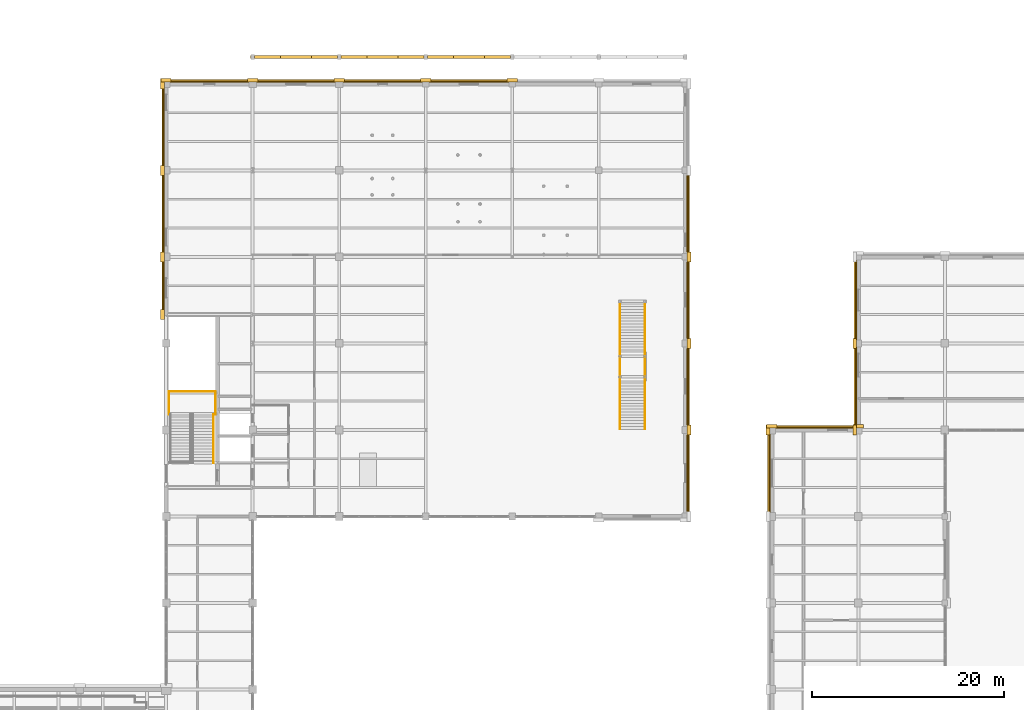
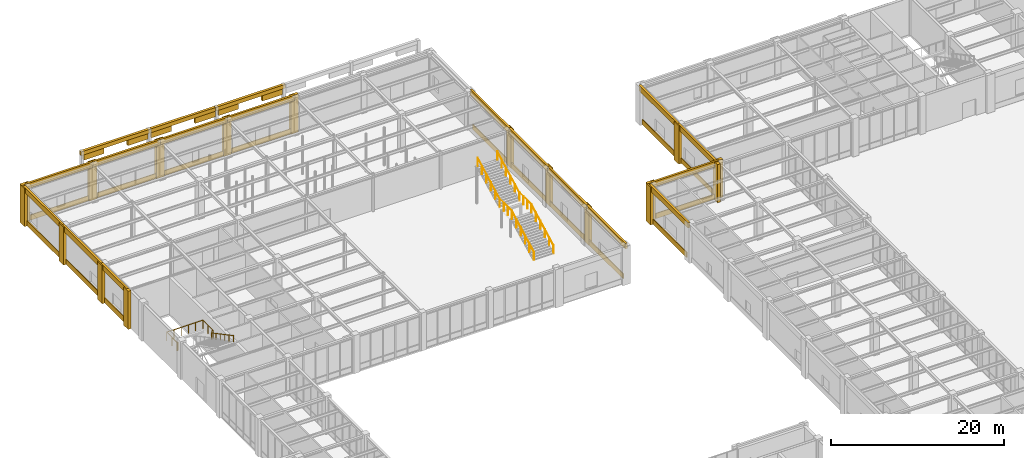
# One storey, part 75 of 77: 56 coverings, 4 railings.
"""IFC4 building model written with IfcOpenShell, lengths in metres."""

from ifc_helpers import new_model, si_unit, direction, frame, origin, origin_2d, place, context, subcontext, project, spatial, rectangle, circle, extrude, material, layer, layer_set, type_object, element, save


model = new_model("IFC4")

# Units and contexts
model_context = context("Model", 3, precision=1e-05, world=origin(), true_north=direction((0.0, 1.0)))
body_context = subcontext(model_context, "Body", "Model", "MODEL_VIEW")
ifc_project = project(units=[si_unit("LENGTHUNIT", "METRE"), si_unit("AREAUNIT", "SQUARE_METRE"), si_unit("VOLUMEUNIT", "CUBIC_METRE"), si_unit("PLANEANGLEUNIT", "RADIAN"), si_unit("MASSUNIT", "GRAM", prefix="KILO")], contexts=[model_context])

# Site, building, storey
site_placement = place(None, origin())
site = spatial("IfcSite", under=ifc_project, at=site_placement, CompositionType="ELEMENT")
building_placement = place(site_placement, origin())
building = spatial("IfcBuilding", under=site, at=building_placement, Name="Lykobir Media Centre", CompositionType="ELEMENT")
storey_placement = place(building_placement, origin())
storey = spatial("IfcBuildingStorey", under=building, at=storey_placement, Name="L00", CompositionType="ELEMENT", Elevation=0.0)

# Coverings
ifc_material_1 = material(Name="Honed Travertine Stone", Category="masonry")
ifc_layer = layer(ifc_material_1, 0.050048828125, Name="Honed Travertine Stone")
ifc_layer_set = layer_set([ifc_layer], Name="Honed Travertine Stone")
covering_type = type_object("IfcCoveringType", Name="CLD-TRAV", PredefinedType="CLADDING", material=ifc_layer_set)
for number, where, z_axis, x_axis, name in (
    (1, (98.6201171875, 81.0, 0.0), (0.0, 0.0, 1.0), (0.0, -1.0, 0.0), "Travertine column pier 39"),
    (2, (98.6201171875, 72.0, 0.0), (0.0, 0.0, 1.0), (0.0, -1.0, 0.0), "Travertine column pier 40"),
):
    element("IfcCovering", number, at=place(storey_placement, frame(where, z_axis=z_axis, x_axis=x_axis)), inside=storey, type_object=covering_type, Name=name, PredefinedType="CLADDING", context=body_context, shape_type="SweptSolid", body=[
        extrude(rectangle(XDim=1.06005859375, YDim=0.39990234375, at=origin_2d()), origin(), (0.0, 0.0, 1.0), 5.39990234375),
    ])
covering_1_placement = place(storey_placement, frame((98.699951171875, 76.5, 4.64013671875), z_axis=(0.0, 0.0, 1.0), x_axis=(0.0, -1.0, 0.0)))
element("IfcCovering", 3, at=covering_1_placement, inside=storey, type_object=covering_type, Name="Travertine spandrel stringcourse 41", PredefinedType="CLADDING", context=body_context, shape_type="SweptSolid", body=[
    extrude(rectangle(XDim=9.0, YDim=0.280029296875, at=origin_2d()), origin(), (0.0, 0.0, 1.0), 0.760009765625),
])
covering_2_placement = place(storey_placement, frame((98.76904296875, 76.5, 0.080078125), z_axis=(0.0, 0.0, 1.0), x_axis=(0.0, -1.0, 0.0)))
element("IfcCovering", 4, at=covering_2_placement, inside=storey, type_object=covering_type, Name="Facade spandrel apron 42", PredefinedType="CLADDING", context=body_context, shape_type="SweptSolid", body=[
    extrude(rectangle(XDim=7.8798828125, YDim=0.110107421875, at=origin_2d()), origin(), (0.0, 0.0, 1.0), 0.719970703125),
])
covering_3_placement = place(storey_placement, frame((98.699951171875, 85.5, 4.64013671875), z_axis=(0.0, 0.0, 1.0), x_axis=(0.0, -1.0, 0.0)))
element("IfcCovering", 5, at=covering_3_placement, inside=storey, type_object=covering_type, Name="Travertine spandrel stringcourse 44", PredefinedType="CLADDING", context=body_context, shape_type="SweptSolid", body=[
    extrude(rectangle(XDim=9.0, YDim=0.280029296875, at=origin_2d()), origin(), (0.0, 0.0, 1.0), 0.760009765625),
])
covering_4_placement = place(storey_placement, frame((98.76904296875, 85.5, 0.080078125), z_axis=(0.0, 0.0, 1.0), x_axis=(0.0, -1.0, 0.0)))
element("IfcCovering", 6, at=covering_4_placement, inside=storey, type_object=covering_type, Name="Facade spandrel apron 45", PredefinedType="CLADDING", context=body_context, shape_type="SweptSolid", body=[
    extrude(rectangle(XDim=7.929931640625, YDim=0.110107421875, at=origin_2d()), origin(), (0.0, 0.0, 1.0), 0.719970703125),
])
for number, where, z_axis, x_axis, name in (
    (7, (99.0, 72.3798828125, 0.0), (0.0, 0.0, 1.0), (-1.0, 0.0, 0.0), "Travertine column pier 46"),
    (8, (90.0, 72.3798828125, 0.0), (0.0, 0.0, 1.0), (-1.0, 0.0, 0.0), "Travertine column pier 47"),
):
    element("IfcCovering", number, at=place(storey_placement, frame(where, z_axis=z_axis, x_axis=x_axis)), inside=storey, type_object=covering_type, Name=name, PredefinedType="CLADDING", context=body_context, shape_type="SweptSolid", body=[
        extrude(rectangle(XDim=1.06005859375, YDim=0.39990234375, at=origin_2d()), origin(), (0.0, 0.0, 1.0), 5.39990234375),
    ])
covering_5_placement = place(storey_placement, frame((94.5, 72.300048828125, 4.64013671875), z_axis=(0.0, 0.0, 1.0), x_axis=(-1.0, 0.0, 0.0)))
element("IfcCovering", 9, at=covering_5_placement, inside=storey, type_object=covering_type, Name="Travertine spandrel stringcourse 48", PredefinedType="CLADDING", context=body_context, shape_type="SweptSolid", body=[
    extrude(rectangle(XDim=9.0, YDim=0.280029296875, at=origin_2d()), origin(), (0.0, 0.0, 1.0), 0.760009765625),
])
covering_6_placement = place(storey_placement, frame((94.5, 72.23095703125, 0.080078125), z_axis=(0.0, 0.0, 1.0), x_axis=(-1.0, 0.0, 0.0)))
element("IfcCovering", 10, at=covering_6_placement, inside=storey, type_object=covering_type, Name="Facade spandrel apron 49", PredefinedType="CLADDING", context=body_context, shape_type="SweptSolid", body=[
    extrude(rectangle(XDim=7.830078125, YDim=0.110107421875, at=origin_2d()), origin(), (0.0, 0.0, 1.0), 0.719970703125),
])
covering_7_placement = place(storey_placement, frame((89.6201171875, 72.0, 0.0), z_axis=(0.0, 0.0, 1.0), x_axis=(0.0, -1.0, 0.0)))
element("IfcCovering", 11, at=covering_7_placement, inside=storey, type_object=covering_type, Name="Travertine column pier 66", PredefinedType="CLADDING", context=body_context, shape_type="SweptSolid", body=[
    extrude(rectangle(XDim=1.06005859375, YDim=0.39990234375, at=origin_2d()), origin(), (0.0, 0.0, 1.0), 5.39990234375),
])
covering_8_placement = place(storey_placement, frame((89.699951171875, 67.5, 4.64013671875), z_axis=(0.0, 0.0, 1.0), x_axis=(0.0, -1.0, 0.0)))
element("IfcCovering", 12, at=covering_8_placement, inside=storey, type_object=covering_type, Name="Travertine spandrel stringcourse 67", PredefinedType="CLADDING", context=body_context, shape_type="SweptSolid", body=[
    extrude(rectangle(XDim=9.0, YDim=0.280029296875, at=origin_2d()), origin(), (0.0, 0.0, 1.0), 0.760009765625),
])
covering_9_placement = place(storey_placement, frame((89.76904296875, 67.5, 0.080078125), z_axis=(0.0, 0.0, 1.0), x_axis=(0.0, -1.0, 0.0)))
element("IfcCovering", 13, at=covering_9_placement, inside=storey, type_object=covering_type, Name="Facade spandrel apron 68", PredefinedType="CLADDING", context=body_context, shape_type="SweptSolid", body=[
    extrude(rectangle(XDim=7.830078125, YDim=0.110107421875, at=origin_2d()), origin(), (0.0, 0.0, 1.0), 0.719970703125),
])
covering_10_placement = place(storey_placement, frame((81.3798828125, 72.0, 0.0), z_axis=(0.0, 0.0, 1.0), x_axis=(0.0, 1.0, 0.0)))
element("IfcCovering", 14, at=covering_10_placement, inside=storey, type_object=covering_type, Name="Travertine column pier 101", PredefinedType="CLADDING", context=body_context, shape_type="SweptSolid", body=[
    extrude(rectangle(XDim=1.06005859375, YDim=0.39990234375, at=origin_2d()), origin(), (0.0, 0.0, 1.0), 5.39990234375),
])
covering_11_placement = place(storey_placement, frame((81.300048828125, 67.5, 4.64013671875), z_axis=(0.0, 0.0, 1.0), x_axis=(0.0, 1.0, 0.0)))
element("IfcCovering", 15, at=covering_11_placement, inside=storey, type_object=covering_type, Name="Travertine spandrel stringcourse 102", PredefinedType="CLADDING", context=body_context, shape_type="SweptSolid", body=[
    extrude(rectangle(XDim=9.0, YDim=0.280029296875, at=origin_2d()), origin(), (0.0, 0.0, 1.0), 0.760009765625),
])
covering_12_placement = place(storey_placement, frame((81.23095703125, 67.5, 0.080078125), z_axis=(0.0, 0.0, 1.0), x_axis=(0.0, 1.0, 0.0)))
element("IfcCovering", 16, at=covering_12_placement, inside=storey, type_object=covering_type, Name="Facade spandrel apron 103", PredefinedType="CLADDING", context=body_context, shape_type="SweptSolid", body=[
    extrude(rectangle(XDim=7.929931640625, YDim=0.110107421875, at=origin_2d()), origin(), (0.0, 0.0, 1.0), 0.719970703125),
])
covering_13_placement = place(storey_placement, frame((81.3798828125, 81.0, 0.0), z_axis=(0.0, 0.0, 1.0), x_axis=(0.0, 1.0, 0.0)))
element("IfcCovering", 17, at=covering_13_placement, inside=storey, type_object=covering_type, Name="Travertine column pier 104", PredefinedType="CLADDING", context=body_context, shape_type="SweptSolid", body=[
    extrude(rectangle(XDim=1.06005859375, YDim=0.39990234375, at=origin_2d()), origin(), (0.0, 0.0, 1.0), 5.39990234375),
])
covering_14_placement = place(storey_placement, frame((81.300048828125, 76.5, 4.64013671875), z_axis=(0.0, 0.0, 1.0), x_axis=(0.0, 1.0, 0.0)))
element("IfcCovering", 18, at=covering_14_placement, inside=storey, type_object=covering_type, Name="Travertine spandrel stringcourse 105", PredefinedType="CLADDING", context=body_context, shape_type="SweptSolid", body=[
    extrude(rectangle(XDim=9.0, YDim=0.280029296875, at=origin_2d()), origin(), (0.0, 0.0, 1.0), 0.760009765625),
])
covering_15_placement = place(storey_placement, frame((81.23095703125, 76.5, 0.080078125), z_axis=(0.0, 0.0, 1.0), x_axis=(0.0, 1.0, 0.0)))
element("IfcCovering", 19, at=covering_15_placement, inside=storey, type_object=covering_type, Name="Facade spandrel apron 106", PredefinedType="CLADDING", context=body_context, shape_type="SweptSolid", body=[
    extrude(rectangle(XDim=7.929931640625, YDim=0.110107421875, at=origin_2d()), origin(), (0.0, 0.0, 1.0), 0.719970703125),
])
covering_16_placement = place(storey_placement, frame((81.3798828125, 90.0, 0.0), z_axis=(0.0, 0.0, 1.0), x_axis=(0.0, 1.0, 0.0)))
element("IfcCovering", 20, at=covering_16_placement, inside=storey, type_object=covering_type, Name="Travertine column pier 107", PredefinedType="CLADDING", context=body_context, shape_type="SweptSolid", body=[
    extrude(rectangle(XDim=1.06005859375, YDim=0.39990234375, at=origin_2d()), origin(), (0.0, 0.0, 1.0), 5.39990234375),
])
covering_17_placement = place(storey_placement, frame((81.300048828125, 85.5, 4.64013671875), z_axis=(0.0, 0.0, 1.0), x_axis=(0.0, 1.0, 0.0)))
element("IfcCovering", 21, at=covering_17_placement, inside=storey, type_object=covering_type, Name="Travertine spandrel stringcourse 108", PredefinedType="CLADDING", context=body_context, shape_type="SweptSolid", body=[
    extrude(rectangle(XDim=9.0, YDim=0.280029296875, at=origin_2d()), origin(), (0.0, 0.0, 1.0), 0.760009765625),
])
covering_18_placement = place(storey_placement, frame((81.23095703125, 85.5, 0.080078125), z_axis=(0.0, 0.0, 1.0), x_axis=(0.0, 1.0, 0.0)))
element("IfcCovering", 22, at=covering_18_placement, inside=storey, type_object=covering_type, Name="Facade spandrel apron 109", PredefinedType="CLADDING", context=body_context, shape_type="SweptSolid", body=[
    extrude(rectangle(XDim=7.929931640625, YDim=0.110107421875, at=origin_2d()), origin(), (0.0, 0.0, 1.0), 0.719970703125),
])
covering_19_placement = place(storey_placement, frame((81.300048828125, 94.5, 4.64013671875), z_axis=(0.0, 0.0, 1.0), x_axis=(0.0, 1.0, 0.0)))
element("IfcCovering", 23, at=covering_19_placement, inside=storey, type_object=covering_type, Name="Travertine spandrel stringcourse 111", PredefinedType="CLADDING", context=body_context, shape_type="SweptSolid", body=[
    extrude(rectangle(XDim=9.0, YDim=0.280029296875, at=origin_2d()), origin(), (0.0, 0.0, 1.0), 0.760009765625),
])
covering_20_placement = place(storey_placement, frame((81.23095703125, 94.5, 0.080078125), z_axis=(0.0, 0.0, 1.0), x_axis=(0.0, 1.0, 0.0)))
element("IfcCovering", 24, at=covering_20_placement, inside=storey, type_object=covering_type, Name="Facade spandrel apron 112", PredefinedType="CLADDING", context=body_context, shape_type="SweptSolid", body=[
    extrude(rectangle(XDim=7.929931640625, YDim=0.110107421875, at=origin_2d()), origin(), (0.0, 0.0, 1.0), 0.719970703125),
])
for number, where, z_axis, x_axis, name in (
    (25, (36.0, 108.3798828125, 0.0), (0.0, 0.0, 1.0), (-1.0, 0.0, 0.0), "Travertine column pier 116"),
    (26, (27.0, 108.3798828125, 0.0), (0.0, 0.0, 1.0), (-1.0, 0.0, 0.0), "Travertine column pier 117"),
):
    element("IfcCovering", number, at=place(storey_placement, frame(where, z_axis=z_axis, x_axis=x_axis)), inside=storey, type_object=covering_type, Name=name, PredefinedType="CLADDING", context=body_context, shape_type="SweptSolid", body=[
        extrude(rectangle(XDim=1.06005859375, YDim=0.39990234375, at=origin_2d()), origin(), (0.0, 0.0, 1.0), 5.39990234375),
    ])
covering_21_placement = place(storey_placement, frame((31.5, 108.300048828125, 4.64013671875), z_axis=(0.0, 0.0, 1.0), x_axis=(-1.0, 0.0, 0.0)))
element("IfcCovering", 27, at=covering_21_placement, inside=storey, type_object=covering_type, Name="Travertine spandrel stringcourse 118", PredefinedType="CLADDING", context=body_context, shape_type="SweptSolid", body=[
    extrude(rectangle(XDim=9.0, YDim=0.280029296875, at=origin_2d()), origin(), (0.0, 0.0, 1.0), 0.760009765625),
])
covering_22_placement = place(storey_placement, frame((31.5, 108.23095703125, 0.080078125), z_axis=(0.0, 0.0, 1.0), x_axis=(-1.0, 0.0, 0.0)))
element("IfcCovering", 28, at=covering_22_placement, inside=storey, type_object=covering_type, Name="Facade spandrel apron 119", PredefinedType="CLADDING", context=body_context, shape_type="SweptSolid", body=[
    extrude(rectangle(XDim=7.830078125, YDim=0.110107421875, at=origin_2d()), origin(), (0.0, 0.0, 1.0), 0.719970703125),
])
covering_23_placement = place(storey_placement, frame((45.0, 108.3798828125, 0.0), z_axis=(0.0, 0.0, 1.0), x_axis=(-1.0, 0.0, 0.0)))
element("IfcCovering", 29, at=covering_23_placement, inside=storey, type_object=covering_type, Name="Travertine column pier 120", PredefinedType="CLADDING", context=body_context, shape_type="SweptSolid", body=[
    extrude(rectangle(XDim=1.06005859375, YDim=0.39990234375, at=origin_2d()), origin(), (0.0, 0.0, 1.0), 5.39990234375),
])
covering_24_placement = place(storey_placement, frame((40.5, 108.300048828125, 4.64013671875), z_axis=(0.0, 0.0, 1.0), x_axis=(-1.0, 0.0, 0.0)))
element("IfcCovering", 30, at=covering_24_placement, inside=storey, type_object=covering_type, Name="Travertine spandrel stringcourse 121", PredefinedType="CLADDING", context=body_context, shape_type="SweptSolid", body=[
    extrude(rectangle(XDim=9.0, YDim=0.280029296875, at=origin_2d()), origin(), (0.0, 0.0, 1.0), 0.760009765625),
])
covering_25_placement = place(storey_placement, frame((40.5, 108.23095703125, 0.080078125), z_axis=(0.0, 0.0, 1.0), x_axis=(-1.0, 0.0, 0.0)))
element("IfcCovering", 31, at=covering_25_placement, inside=storey, type_object=covering_type, Name="Facade spandrel apron 122", PredefinedType="CLADDING", context=body_context, shape_type="SweptSolid", body=[
    extrude(rectangle(XDim=7.830078125, YDim=0.110107421875, at=origin_2d()), origin(), (0.0, 0.0, 1.0), 0.719970703125),
])
covering_26_placement = place(storey_placement, frame((54.0, 108.3798828125, 0.0), z_axis=(0.0, 0.0, 1.0), x_axis=(-1.0, 0.0, 0.0)))
element("IfcCovering", 32, at=covering_26_placement, inside=storey, type_object=covering_type, Name="Travertine column pier 123", PredefinedType="CLADDING", context=body_context, shape_type="SweptSolid", body=[
    extrude(rectangle(XDim=1.06005859375, YDim=0.39990234375, at=origin_2d()), origin(), (0.0, 0.0, 1.0), 5.39990234375),
])
covering_27_placement = place(storey_placement, frame((49.5, 108.300048828125, 4.64013671875), z_axis=(0.0, 0.0, 1.0), x_axis=(-1.0, 0.0, 0.0)))
element("IfcCovering", 33, at=covering_27_placement, inside=storey, type_object=covering_type, Name="Travertine spandrel stringcourse 124", PredefinedType="CLADDING", context=body_context, shape_type="SweptSolid", body=[
    extrude(rectangle(XDim=9.0, YDim=0.280029296875, at=origin_2d()), origin(), (0.0, 0.0, 1.0), 0.760009765625),
])
covering_28_placement = place(storey_placement, frame((49.5, 108.23095703125, 0.080078125), z_axis=(0.0, 0.0, 1.0), x_axis=(-1.0, 0.0, 0.0)))
element("IfcCovering", 34, at=covering_28_placement, inside=storey, type_object=covering_type, Name="Facade spandrel apron 125", PredefinedType="CLADDING", context=body_context, shape_type="SweptSolid", body=[
    extrude(rectangle(XDim=7.8798828125, YDim=0.110107421875, at=origin_2d()), origin(), (0.0, 0.0, 1.0), 0.719970703125),
])
covering_29_placement = place(storey_placement, frame((63.0, 108.3798828125, 0.0), z_axis=(0.0, 0.0, 1.0), x_axis=(-1.0, 0.0, 0.0)))
element("IfcCovering", 35, at=covering_29_placement, inside=storey, type_object=covering_type, Name="Travertine column pier 126", PredefinedType="CLADDING", context=body_context, shape_type="SweptSolid", body=[
    extrude(rectangle(XDim=1.06005859375, YDim=0.39990234375, at=origin_2d()), origin(), (0.0, 0.0, 1.0), 5.39990234375),
])
covering_30_placement = place(storey_placement, frame((58.5, 108.300048828125, 4.64013671875), z_axis=(0.0, 0.0, 1.0), x_axis=(-1.0, 0.0, 0.0)))
element("IfcCovering", 36, at=covering_30_placement, inside=storey, type_object=covering_type, Name="Travertine spandrel stringcourse 127", PredefinedType="CLADDING", context=body_context, shape_type="SweptSolid", body=[
    extrude(rectangle(XDim=9.0, YDim=0.280029296875, at=origin_2d()), origin(), (0.0, 0.0, 1.0), 0.760009765625),
])
covering_31_placement = place(storey_placement, frame((58.5, 108.23095703125, 0.080078125), z_axis=(0.0, 0.0, 1.0), x_axis=(-1.0, 0.0, 0.0)))
element("IfcCovering", 37, at=covering_31_placement, inside=storey, type_object=covering_type, Name="Facade spandrel apron 128", PredefinedType="CLADDING", context=body_context, shape_type="SweptSolid", body=[
    extrude(rectangle(XDim=7.929931640625, YDim=0.110107421875, at=origin_2d()), origin(), (0.0, 0.0, 1.0), 0.719970703125),
])
for number, where, z_axis, x_axis, name in (
    (38, (26.6201171875, 90.0, 0.0), (0.0, 0.0, 1.0), (0.0, -1.0, 0.0), "Travertine column pier 135"),
    (39, (26.6201171875, 84.0, 0.0), (0.0, 0.0, 1.0), (0.0, -1.0, 0.0), "Travertine column pier 136"),
):
    element("IfcCovering", number, at=place(storey_placement, frame(where, z_axis=z_axis, x_axis=x_axis)), inside=storey, type_object=covering_type, Name=name, PredefinedType="CLADDING", context=body_context, shape_type="SweptSolid", body=[
        extrude(rectangle(XDim=1.06005859375, YDim=0.39990234375, at=origin_2d()), origin(), (0.0, 0.0, 1.0), 5.39990234375),
    ])
covering_32_placement = place(storey_placement, frame((26.699951171875, 87.0, 4.64013671875), z_axis=(0.0, 0.0, 1.0), x_axis=(0.0, -1.0, 0.0)))
element("IfcCovering", 40, at=covering_32_placement, inside=storey, type_object=covering_type, Name="Travertine spandrel stringcourse 137", PredefinedType="CLADDING", context=body_context, shape_type="SweptSolid", body=[
    extrude(rectangle(XDim=6.0, YDim=0.280029296875, at=origin_2d()), origin(), (0.0, 0.0, 1.0), 0.760009765625),
])
covering_33_placement = place(storey_placement, frame((26.76904296875, 87.0, 0.080078125), z_axis=(0.0, 0.0, 1.0), x_axis=(0.0, -1.0, 0.0)))
element("IfcCovering", 41, at=covering_33_placement, inside=storey, type_object=covering_type, Name="Facade spandrel apron 138", PredefinedType="CLADDING", context=body_context, shape_type="SweptSolid", body=[
    extrude(rectangle(XDim=5.2900390625, YDim=0.110107421875, at=origin_2d()), origin(), (0.0, 0.0, 1.0), 0.719970703125),
])
covering_34_placement = place(storey_placement, frame((26.6201171875, 99.0, 0.0), z_axis=(0.0, 0.0, 1.0), x_axis=(0.0, -1.0, 0.0)))
element("IfcCovering", 42, at=covering_34_placement, inside=storey, type_object=covering_type, Name="Travertine column pier 139", PredefinedType="CLADDING", context=body_context, shape_type="SweptSolid", body=[
    extrude(rectangle(XDim=1.06005859375, YDim=0.39990234375, at=origin_2d()), origin(), (0.0, 0.0, 1.0), 5.39990234375),
])
covering_35_placement = place(storey_placement, frame((26.699951171875, 94.5, 4.64013671875), z_axis=(0.0, 0.0, 1.0), x_axis=(0.0, -1.0, 0.0)))
element("IfcCovering", 43, at=covering_35_placement, inside=storey, type_object=covering_type, Name="Travertine spandrel stringcourse 140", PredefinedType="CLADDING", context=body_context, shape_type="SweptSolid", body=[
    extrude(rectangle(XDim=9.0, YDim=0.280029296875, at=origin_2d()), origin(), (0.0, 0.0, 1.0), 0.760009765625),
])
covering_36_placement = place(storey_placement, frame((26.76904296875, 94.5, 0.080078125), z_axis=(0.0, 0.0, 1.0), x_axis=(0.0, -1.0, 0.0)))
element("IfcCovering", 44, at=covering_36_placement, inside=storey, type_object=covering_type, Name="Facade spandrel apron 141", PredefinedType="CLADDING", context=body_context, shape_type="SweptSolid", body=[
    extrude(rectangle(XDim=7.830078125, YDim=0.110107421875, at=origin_2d()), origin(), (0.0, 0.0, 1.0), 0.719970703125),
])
covering_37_placement = place(storey_placement, frame((26.6201171875, 108.0, 0.0), z_axis=(0.0, 0.0, 1.0), x_axis=(0.0, -1.0, 0.0)))
element("IfcCovering", 45, at=covering_37_placement, inside=storey, type_object=covering_type, Name="Travertine column pier 142", PredefinedType="CLADDING", context=body_context, shape_type="SweptSolid", body=[
    extrude(rectangle(XDim=1.06005859375, YDim=0.39990234375, at=origin_2d()), origin(), (0.0, 0.0, 1.0), 5.39990234375),
])
covering_38_placement = place(storey_placement, frame((26.699951171875, 103.5, 4.64013671875), z_axis=(0.0, 0.0, 1.0), x_axis=(0.0, -1.0, 0.0)))
element("IfcCovering", 46, at=covering_38_placement, inside=storey, type_object=covering_type, Name="Travertine spandrel stringcourse 143", PredefinedType="CLADDING", context=body_context, shape_type="SweptSolid", body=[
    extrude(rectangle(XDim=9.0, YDim=0.280029296875, at=origin_2d()), origin(), (0.0, 0.0, 1.0), 0.760009765625),
])
covering_39_placement = place(storey_placement, frame((26.76904296875, 103.5, 0.080078125), z_axis=(0.0, 0.0, 1.0), x_axis=(0.0, -1.0, 0.0)))
element("IfcCovering", 47, at=covering_39_placement, inside=storey, type_object=covering_type, Name="Facade spandrel apron 144", PredefinedType="CLADDING", context=body_context, shape_type="SweptSolid", body=[
    extrude(rectangle(XDim=7.830078125, YDim=0.110107421875, at=origin_2d()), origin(), (0.0, 0.0, 1.0), 0.719970703125),
])
covering_40_placement = place(storey_placement, frame((40.5, 110.800048828125, 4.830078125), z_axis=(0.0, 0.0, 1.0), x_axis=(1.0, 0.0, 0.0)))
element("IfcCovering", 48, at=covering_40_placement, inside=storey, type_object=covering_type, Name="North Revak entablature 975", PredefinedType="CLADDING", context=body_context, shape_type="SweptSolid", body=[
    extrude(rectangle(XDim=9.39990234375, YDim=0.340087890625, at=origin_2d()), origin(), (0.0, 0.0, 1.0), 0.5400390625),
])
for number, where, z_axis, x_axis, name in (
    (49, (37.550048828125, 110.800048828125, 4.0498046875), (0.0, 0.0, 1.0), (1.0, 0.0, 0.0), "North Revak pointed arch haunch 976"),
    (50, (43.449951171875, 110.800048828125, 4.0498046875), (0.0, 0.0, 1.0), (1.0, 0.0, 0.0), "North Revak pointed arch haunch 977"),
):
    element("IfcCovering", number, at=place(storey_placement, frame(where, z_axis=z_axis, x_axis=x_axis)), inside=storey, type_object=covering_type, Name=name, PredefinedType="CLADDING", context=body_context, shape_type="SweptSolid", body=[
        extrude(rectangle(XDim=2.699951171875, YDim=0.300048828125, at=origin_2d()), origin(), (0.0, 0.0, 1.0), 0.800048828125),
    ])
covering_41_placement = place(storey_placement, frame((49.5, 110.800048828125, 4.830078125), z_axis=(0.0, 0.0, 1.0), x_axis=(1.0, 0.0, 0.0)))
element("IfcCovering", 51, at=covering_41_placement, inside=storey, type_object=covering_type, Name="North Revak entablature 978", PredefinedType="CLADDING", context=body_context, shape_type="SweptSolid", body=[
    extrude(rectangle(XDim=9.39990234375, YDim=0.340087890625, at=origin_2d()), origin(), (0.0, 0.0, 1.0), 0.5400390625),
])
for number, where, z_axis, x_axis, name in (
    (52, (46.550048828125, 110.800048828125, 4.0498046875), (0.0, 0.0, 1.0), (1.0, 0.0, 0.0), "North Revak pointed arch haunch 979"),
    (53, (52.449951171875, 110.800048828125, 4.0498046875), (0.0, 0.0, 1.0), (1.0, 0.0, 0.0), "North Revak pointed arch haunch 980"),
):
    element("IfcCovering", number, at=place(storey_placement, frame(where, z_axis=z_axis, x_axis=x_axis)), inside=storey, type_object=covering_type, Name=name, PredefinedType="CLADDING", context=body_context, shape_type="SweptSolid", body=[
        extrude(rectangle(XDim=2.699951171875, YDim=0.300048828125, at=origin_2d()), origin(), (0.0, 0.0, 1.0), 0.800048828125),
    ])
covering_42_placement = place(storey_placement, frame((58.5, 110.800048828125, 4.830078125), z_axis=(0.0, 0.0, 1.0), x_axis=(1.0, 0.0, 0.0)))
element("IfcCovering", 54, at=covering_42_placement, inside=storey, type_object=covering_type, Name="North Revak entablature 981", PredefinedType="CLADDING", context=body_context, shape_type="SweptSolid", body=[
    extrude(rectangle(XDim=9.39990234375, YDim=0.340087890625, at=origin_2d()), origin(), (0.0, 0.0, 1.0), 0.5400390625),
])
for number, where, z_axis, x_axis, name in (
    (55, (55.550048828125, 110.800048828125, 4.0498046875), (0.0, 0.0, 1.0), (1.0, 0.0, 0.0), "North Revak pointed arch haunch 982"),
    (56, (61.449951171875, 110.800048828125, 4.0498046875), (0.0, 0.0, 1.0), (1.0, 0.0, 0.0), "North Revak pointed arch haunch 983"),
):
    element("IfcCovering", number, at=place(storey_placement, frame(where, z_axis=z_axis, x_axis=x_axis)), inside=storey, type_object=covering_type, Name=name, PredefinedType="CLADDING", context=body_context, shape_type="SweptSolid", body=[
        extrude(rectangle(XDim=2.699951171875, YDim=0.300048828125, at=origin_2d()), origin(), (0.0, 0.0, 1.0), 0.800048828125),
    ])

# Railings
ifc_material_2 = material(Name="Steel S355", Category="steel")
railing_type_1 = type_object("IfcRailingType", Name="GR-1200", PredefinedType="BALUSTRADE", material=ifc_material_2)
railing_1_placement = place(storey_placement, frame((27.389892578125, 73.590087890625, 2.699951171875)))
element("IfcRailing", 57, at=railing_1_placement, inside=storey, type_object=railing_type_1, Name="ST-3 L00 half-landing perimeter guard", PredefinedType="BALUSTRADE", context=body_context, shape_type="SweptSolid", body=[
    extrude(circle(Radius=0.02392578125, at=origin_2d()), frame((0.0, 0.0, 1.17578125), z_axis=(-1.0, 0.0, 0.0), x_axis=(0.0, -1.0, 0.0)), (0.0, 0.0, 1.0), 0.10986328125),
    extrude(circle(Radius=0.02392578125, at=origin_2d()), frame((-0.10986328125, 0.0, 1.17578125), z_axis=(0.0, 1.0, 0.0), x_axis=(-1.0, 0.0, 0.0)), (0.0, 0.0, 1.0), 2.39990234375),
    extrude(circle(Radius=0.02392578125, at=origin_2d()), frame((-0.10986328125, 2.39990234375, 1.17578125), z_axis=(1.0, 0.0, 0.0), x_axis=(0.0, 1.0, 0.0)), (0.0, 0.0, 1.0), 4.840087890625),
    extrude(circle(Radius=0.02392578125, at=origin_2d()), frame((4.730224609375, 2.39990234375, 1.17578125), z_axis=(0.0, -1.0, 0.0), x_axis=(1.0, 0.0, 0.0)), (0.0, 0.0, 1.0), 2.39990234375),
    extrude(circle(Radius=0.02392578125, at=origin_2d()), frame((4.730224609375, 0.0, 1.17578125), z_axis=(-1.0, 0.0, 0.0), x_axis=(0.0, -1.0, 0.0)), (0.0, 0.0, 1.0), 0.170166015625),
    extrude(circle(Radius=0.02099609375, at=origin_2d()), origin(), (0.0, 0.0, 1.0), 1.15185546875),
    extrude(circle(Radius=0.02099609375, at=origin_2d()), frame((-0.10986328125, 0.0, 0.0)), (0.0, 0.0, 1.0), 1.15185546875),
    extrude(circle(Radius=0.02099609375, at=origin_2d()), frame((-0.10986328125, 1.199951171875, 0.0)), (0.0, 0.0, 1.0), 1.15185546875),
    extrude(circle(Radius=0.02099609375, at=origin_2d()), frame((-0.10986328125, 2.39990234375, 0.0)), (0.0, 0.0, 1.0), 1.15185546875),
    extrude(circle(Radius=0.02099609375, at=origin_2d()), frame((0.858154296875, 2.39990234375, 0.0)), (0.0, 0.0, 1.0), 1.15185546875),
    extrude(circle(Radius=0.02099609375, at=origin_2d()), frame((1.826171875, 2.39990234375, 0.0)), (0.0, 0.0, 1.0), 1.15185546875),
    extrude(circle(Radius=0.02099609375, at=origin_2d()), frame((2.794189453125, 2.39990234375, 0.0)), (0.0, 0.0, 1.0), 1.15185546875),
    extrude(circle(Radius=0.02099609375, at=origin_2d()), frame((3.76220703125, 2.39990234375, 0.0)), (0.0, 0.0, 1.0), 1.15185546875),
    extrude(circle(Radius=0.02099609375, at=origin_2d()), frame((4.730224609375, 2.39990234375, 0.0)), (0.0, 0.0, 1.0), 1.15185546875),
    extrude(circle(Radius=0.02099609375, at=origin_2d()), frame((4.730224609375, 1.199951171875, 0.0)), (0.0, 0.0, 1.0), 1.15185546875),
    extrude(circle(Radius=0.02099609375, at=origin_2d()), frame((4.730224609375, 0.0, 0.0)), (0.0, 0.0, 1.0), 1.15185546875),
    extrude(circle(Radius=0.02099609375, at=origin_2d()), frame((4.56005859375, 0.0, 0.0)), (0.0, 0.0, 1.0), 1.15185546875),
])
railing_2_placement = place(storey_placement, frame((74.18994140625, 72.070068359375, 0.0)))
element("IfcRailing", 58, at=railing_2_placement, inside=storey, type_object=railing_type_1, Name="Valley stair 1 balustrade", PredefinedType="BALUSTRADE", context=body_context, shape_type="SweptSolid", body=[
    extrude(circle(Radius=0.02392578125, at=origin_2d()), frame((0.0, 0.0, 1.17578125), z_axis=(0.0, 0.883785858079, 0.467891608238), x_axis=(-1.0, 0.0, 0.0)), (0.0, 0.0, 1.0), 5.7705078125),
    extrude(circle(Radius=0.02392578125, at=origin_2d()), frame((0.0, 5.099853515625, 3.8759765625), z_axis=(0.0, 1.0, 0.0), x_axis=(-1.0, 0.0, 0.0)), (0.0, 0.0, 1.0), 2.85009765625),
    extrude(circle(Radius=0.02392578125, at=origin_2d()), frame((0.0, 7.949951171875, 3.8759765625), z_axis=(0.0, 0.883795119882, 0.467874113489), x_axis=(-1.0, 0.0, 0.0)), (0.0, 0.0, 1.0), 5.770751953125),
    extrude(circle(Radius=0.02099609375, at=origin_2d()), origin(), (0.0, 0.0, 1.0), 1.15185546875),
    extrude(circle(Radius=0.02099609375, at=origin_2d()), frame((0.0, 1.02001953125, 0.5400390625)), (0.0, 0.0, 1.0), 1.15185546875),
    extrude(circle(Radius=0.02099609375, at=origin_2d()), frame((0.0, 2.0400390625, 1.080078125)), (0.0, 0.0, 1.0), 1.15185546875),
    extrude(circle(Radius=0.02099609375, at=origin_2d()), frame((0.0, 3.059814453125, 1.619873046875)), (0.0, 0.0, 1.0), 1.15185546875),
    extrude(circle(Radius=0.02099609375, at=origin_2d()), frame((0.0, 4.079833984375, 2.159912109375)), (0.0, 0.0, 1.0), 1.15185546875),
    extrude(circle(Radius=0.02099609375, at=origin_2d()), frame((0.0, 5.099853515625, 2.699951171875)), (0.0, 0.0, 1.0), 1.15185546875),
    extrude(circle(Radius=0.02099609375, at=origin_2d()), frame((0.0, 6.0498046875, 2.699951171875)), (0.0, 0.0, 1.0), 1.15185546875),
    extrude(circle(Radius=0.02099609375, at=origin_2d()), frame((0.0, 7.0, 2.699951171875)), (0.0, 0.0, 1.0), 1.15185546875),
    extrude(circle(Radius=0.02099609375, at=origin_2d()), frame((0.0, 7.949951171875, 2.699951171875)), (0.0, 0.0, 1.0), 1.15185546875),
    extrude(circle(Radius=0.02099609375, at=origin_2d()), frame((0.0, 8.969970703125, 3.239990234375)), (0.0, 0.0, 1.0), 1.15185546875),
    extrude(circle(Radius=0.02099609375, at=origin_2d()), frame((0.0, 9.989990234375, 3.780029296875)), (0.0, 0.0, 1.0), 1.15185546875),
    extrude(circle(Radius=0.02099609375, at=origin_2d()), frame((0.0, 11.010009765625, 4.31982421875)), (0.0, 0.0, 1.0), 1.15185546875),
    extrude(circle(Radius=0.02099609375, at=origin_2d()), frame((0.0, 12.030029296875, 4.85986328125)), (0.0, 0.0, 1.0), 1.15185546875),
    extrude(circle(Radius=0.02099609375, at=origin_2d()), frame((0.0, 13.050048828125, 5.39990234375)), (0.0, 0.0, 1.0), 1.15185546875),
])
railing_3_placement = place(storey_placement, frame((76.81005859375, 72.070068359375, 0.0)))
element("IfcRailing", 59, at=railing_3_placement, inside=storey, type_object=railing_type_1, Name="Valley stair 1 balustrade", PredefinedType="BALUSTRADE", context=body_context, shape_type="SweptSolid", body=[
    extrude(circle(Radius=0.02392578125, at=origin_2d()), frame((0.0, 0.0, 1.17578125), z_axis=(0.0, 0.883785858079, 0.467891608238), x_axis=(-1.0, 0.0, 0.0)), (0.0, 0.0, 1.0), 5.7705078125),
    extrude(circle(Radius=0.02392578125, at=origin_2d()), frame((0.0, 5.099853515625, 3.8759765625), z_axis=(0.0, 1.0, 0.0), x_axis=(-1.0, 0.0, 0.0)), (0.0, 0.0, 1.0), 2.85009765625),
    extrude(circle(Radius=0.02392578125, at=origin_2d()), frame((0.0, 7.949951171875, 3.8759765625), z_axis=(0.0, 0.883795119882, 0.467874113489), x_axis=(-1.0, 0.0, 0.0)), (0.0, 0.0, 1.0), 5.770751953125),
    extrude(circle(Radius=0.02099609375, at=origin_2d()), origin(), (0.0, 0.0, 1.0), 1.15185546875),
    extrude(circle(Radius=0.02099609375, at=origin_2d()), frame((0.0, 1.02001953125, 0.5400390625)), (0.0, 0.0, 1.0), 1.15185546875),
    extrude(circle(Radius=0.02099609375, at=origin_2d()), frame((0.0, 2.0400390625, 1.080078125)), (0.0, 0.0, 1.0), 1.15185546875),
    extrude(circle(Radius=0.02099609375, at=origin_2d()), frame((0.0, 3.059814453125, 1.619873046875)), (0.0, 0.0, 1.0), 1.15185546875),
    extrude(circle(Radius=0.02099609375, at=origin_2d()), frame((0.0, 4.079833984375, 2.159912109375)), (0.0, 0.0, 1.0), 1.15185546875),
    extrude(circle(Radius=0.02099609375, at=origin_2d()), frame((0.0, 5.099853515625, 2.699951171875)), (0.0, 0.0, 1.0), 1.15185546875),
    extrude(circle(Radius=0.02099609375, at=origin_2d()), frame((0.0, 6.0498046875, 2.699951171875)), (0.0, 0.0, 1.0), 1.15185546875),
    extrude(circle(Radius=0.02099609375, at=origin_2d()), frame((0.0, 7.0, 2.699951171875)), (0.0, 0.0, 1.0), 1.15185546875),
    extrude(circle(Radius=0.02099609375, at=origin_2d()), frame((0.0, 7.949951171875, 2.699951171875)), (0.0, 0.0, 1.0), 1.15185546875),
    extrude(circle(Radius=0.02099609375, at=origin_2d()), frame((0.0, 8.969970703125, 3.239990234375)), (0.0, 0.0, 1.0), 1.15185546875),
    extrude(circle(Radius=0.02099609375, at=origin_2d()), frame((0.0, 9.989990234375, 3.780029296875)), (0.0, 0.0, 1.0), 1.15185546875),
    extrude(circle(Radius=0.02099609375, at=origin_2d()), frame((0.0, 11.010009765625, 4.31982421875)), (0.0, 0.0, 1.0), 1.15185546875),
    extrude(circle(Radius=0.02099609375, at=origin_2d()), frame((0.0, 12.030029296875, 4.85986328125)), (0.0, 0.0, 1.0), 1.15185546875),
    extrude(circle(Radius=0.02099609375, at=origin_2d()), frame((0.0, 13.050048828125, 5.39990234375)), (0.0, 0.0, 1.0), 1.15185546875),
])
railing_type_2 = type_object("IfcRailingType", Name="HR-0900", PredefinedType="HANDRAIL", material=ifc_material_2)
railing_4_placement = place(storey_placement, frame((31.909912109375, 73.6298828125, 2.699951171875)))
element("IfcRailing", 60, at=railing_4_placement, inside=storey, type_object=railing_type_2, Name="ST-3 L00 F2 wall handrail", PredefinedType="HANDRAIL", context=body_context, shape_type="SweptSolid", body=[
    extrude(circle(Radius=0.02392578125, at=origin_2d()), frame((0.0, 0.0, 0.8759765625), z_axis=(0.0, -0.883785858079, 0.467891608238), x_axis=(1.0, 0.0, 0.0)), (0.0, 0.0, 1.0), 5.7705078125),
    extrude(circle(Radius=0.02099609375, at=origin_2d()), origin(), (0.0, 0.0, 1.0), 0.851806640625),
    extrude(circle(Radius=0.02099609375, at=origin_2d()), frame((0.0, -1.02001953125, 0.5400390625)), (0.0, 0.0, 1.0), 0.851806640625),
    extrude(circle(Radius=0.02099609375, at=origin_2d()), frame((0.0, -2.0400390625, 1.080078125)), (0.0, 0.0, 1.0), 0.851806640625),
    extrude(circle(Radius=0.02099609375, at=origin_2d()), frame((0.0, -3.059814453125, 1.619873046875)), (0.0, 0.0, 1.0), 0.851806640625),
    extrude(circle(Radius=0.02099609375, at=origin_2d()), frame((0.0, -4.079833984375, 2.159912109375)), (0.0, 0.0, 1.0), 0.851806640625),
    extrude(circle(Radius=0.02099609375, at=origin_2d()), frame((0.0, -5.099853515625, 2.699951171875)), (0.0, 0.0, 1.0), 0.851806640625),
])

save(model, "model.ifc")
